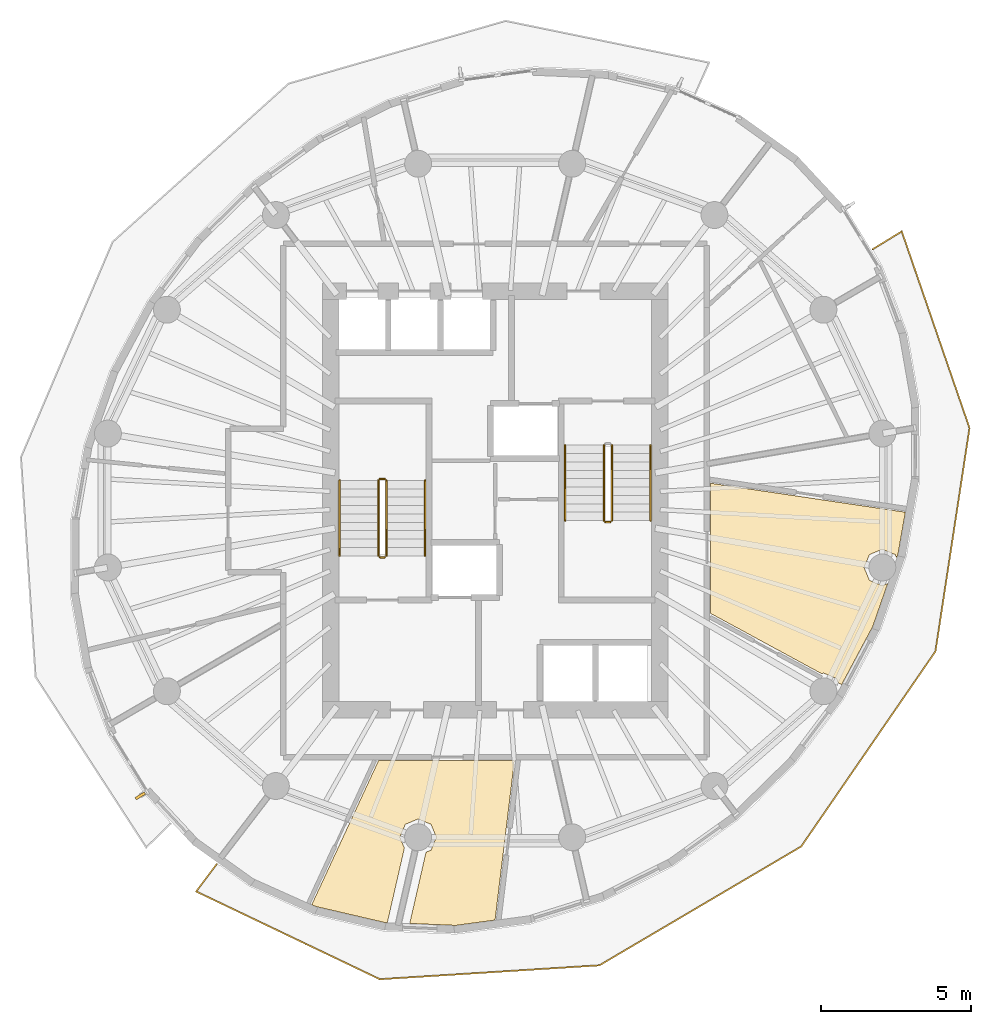
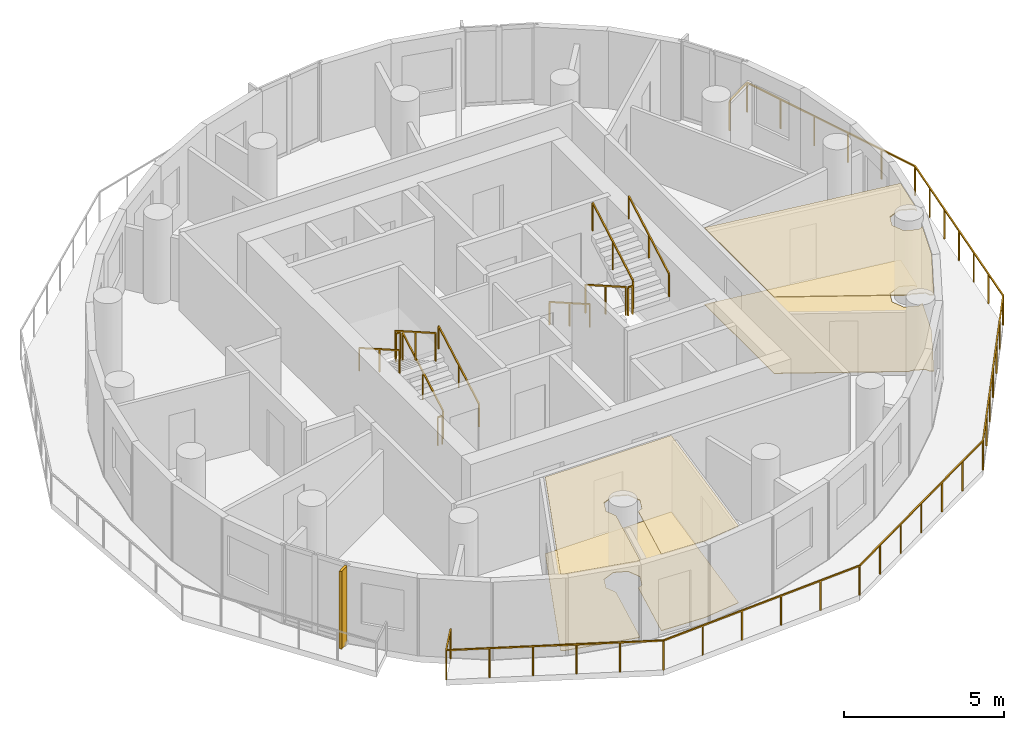
# One storey, part 8 of 10: 12 railings, 4 coverings, 1 shading device.
"""IFC4 building model written with IfcOpenShell, lengths in metres."""

from ifc_helpers import new_model, si_unit, direction, frame, origin, origin_2d, place, context, subcontext, project, spatial, polyline, rectangle, outline, extrude, material, layer, layer_set, type_object, element, save


model = new_model("IFC4")

# Units and contexts
model_context = context("Model", 3, precision=1e-05, world=origin(), true_north=direction((0.0, 1.0)))
body_context = subcontext(model_context, "Body", "Model", "MODEL_VIEW")
ifc_project = project(units=[si_unit("LENGTHUNIT", "METRE"), si_unit("AREAUNIT", "SQUARE_METRE"), si_unit("VOLUMEUNIT", "CUBIC_METRE"), si_unit("PLANEANGLEUNIT", "RADIAN"), si_unit("MASSUNIT", "GRAM", prefix="KILO")], contexts=[model_context])

# Site, building, storey
site_placement = place(None, origin())
site = spatial("IfcSite", under=ifc_project, at=site_placement, CompositionType="ELEMENT")
building_placement = place(site_placement, origin())
building = spatial("IfcBuilding", under=site, at=building_placement, Name="Veldorim Arch Residences", CompositionType="ELEMENT")
storey_placement = place(building_placement, frame((0.0, 0.0, 198.239990234375)))
storey = spatial("IfcBuildingStorey", under=building, at=storey_placement, Name="L59", CompositionType="ELEMENT", Elevation=198.239990234375)

# Railings
ifc_material_1 = material(Name="Aluminium", Category="aluminium")
railing_type_1 = type_object("IfcRailingType", Name="Balcony & Terrace Laminated Glass Balustrade 1150", PredefinedType="BALUSTRADE", material=ifc_material_1)
railing_1_placement = place(storey_placement, frame((22.690673828125, 11.8466796875, 0.0)))
element("IfcRailing", 1, at=railing_1_placement, inside=storey, type_object=railing_type_1, Name="L59 crescent balcony safety balustrade B", PredefinedType="BALUSTRADE", context=body_context, shape_type="SweptSolid", body=[
    extrude(rectangle(XDim=0.048095703125, YDim=0.048095703125, at=origin_2d()), frame((0.0, 0.0, 1.1259765625), z_axis=(-0.600237775512, -0.799821613142, 0.0), x_axis=(0.799821613142, -0.600237775512, 0.0)), (0.0, 0.0, 1.0), 1.14990234375),
    extrude(rectangle(XDim=0.048095703125, YDim=0.048095703125, at=origin_2d()), frame((-0.690185546875, -0.919677734375, 1.1259765625), z_axis=(0.902273129523, -0.431164933338, 0.0), x_axis=(0.431164933338, 0.902273129523, 0.0)), (0.0, 0.0, 1.0), 6.80908203125),
    extrude(rectangle(XDim=0.048095703125, YDim=0.048095703125, at=origin_2d()), frame((5.453369140625, -3.85546875, 1.1259765625), z_axis=(0.997999801771, 0.063217052017, 0.0), x_axis=(-0.063217052017, 0.997999801771, 0.0)), (0.0, 0.0, 1.0), 7.35693359375),
    extrude(rectangle(XDim=0.048095703125, YDim=0.048095703125, at=origin_2d()), frame((12.795654296875, -3.390380859375, 1.1259765625), z_axis=(0.861659209201, 0.507487346837, 0.0), x_axis=(-0.507487346837, 0.861659209201, 0.0)), (0.0, 0.0, 1.0), 7.83154296875),
    extrude(rectangle(XDim=0.048095703125, YDim=0.048095703125, at=origin_2d()), frame((19.543701171875, 0.583984375, 1.1259765625), z_axis=(0.566870275213, 0.823807071516, 0.0), x_axis=(-0.823807071516, 0.566870275213, 0.0)), (0.0, 0.0, 1.0), 7.9189453125),
    extrude(rectangle(XDim=0.048095703125, YDim=0.048095703125, at=origin_2d()), frame((24.03271484375, 7.107666015625, 1.1259765625), z_axis=(0.150906107118, 0.988548100415, 0.0), x_axis=(-0.988548100415, 0.150906107118, 0.0)), (0.0, 0.0, 1.0), 7.55517578125),
    extrude(rectangle(XDim=0.048095703125, YDim=0.048095703125, at=origin_2d()), frame((25.1728515625, 14.576416015625, 1.1259765625), z_axis=(-0.325929032945, 0.945394238127, 0.0), x_axis=(-0.945394238127, -0.325929032945, 0.0)), (0.0, 0.0, 1.0), 6.95654296875),
    extrude(rectangle(XDim=0.048095703125, YDim=0.048095703125, at=origin_2d()), frame((22.905517578125, 21.153076171875, 1.1259765625), z_axis=(-0.852546329169, -0.522651658967, 0.0), x_axis=(0.522651658967, -0.852546329169, 0.0)), (0.0, 0.0, 1.0), 1.150146484375),
    extrude(rectangle(XDim=0.0419921875, YDim=0.0419921875, at=origin_2d()), origin(), (0.0, 0.0, 1.0), 1.101806640625),
    extrude(rectangle(XDim=0.0419921875, YDim=0.0419921875, at=origin_2d()), frame((-0.690185546875, -0.919677734375, 0.0)), (0.0, 0.0, 1.0), 1.101806640625),
    extrude(rectangle(XDim=0.0419921875, YDim=0.0419921875, at=origin_2d()), frame((0.53857421875, -1.5068359375, 0.0)), (0.0, 0.0, 1.0), 1.101806640625),
    extrude(rectangle(XDim=0.0419921875, YDim=0.0419921875, at=origin_2d()), frame((1.767333984375, -2.093994140625, 0.0)), (0.0, 0.0, 1.0), 1.101806640625),
    extrude(rectangle(XDim=0.0419921875, YDim=0.0419921875, at=origin_2d()), frame((2.995849609375, -2.68115234375, 0.0)), (0.0, 0.0, 1.0), 1.101806640625),
    extrude(rectangle(XDim=0.0419921875, YDim=0.0419921875, at=origin_2d()), frame((4.224609375, -3.268310546875, 0.0)), (0.0, 0.0, 1.0), 1.101806640625),
    extrude(rectangle(XDim=0.0419921875, YDim=0.0419921875, at=origin_2d()), frame((5.453369140625, -3.85546875, 0.0)), (0.0, 0.0, 1.0), 1.101806640625),
    extrude(rectangle(XDim=0.0419921875, YDim=0.0419921875, at=origin_2d()), frame((6.921875, -3.762451171875, 0.0)), (0.0, 0.0, 1.0), 1.101806640625),
    extrude(rectangle(XDim=0.0419921875, YDim=0.0419921875, at=origin_2d()), frame((8.390380859375, -3.66943359375, 0.0)), (0.0, 0.0, 1.0), 1.101806640625),
    extrude(rectangle(XDim=0.0419921875, YDim=0.0419921875, at=origin_2d()), frame((9.858642578125, -3.576416015625, 0.0)), (0.0, 0.0, 1.0), 1.101806640625),
    extrude(rectangle(XDim=0.0419921875, YDim=0.0419921875, at=origin_2d()), frame((11.3271484375, -3.4833984375, 0.0)), (0.0, 0.0, 1.0), 1.101806640625),
    extrude(rectangle(XDim=0.0419921875, YDim=0.0419921875, at=origin_2d()), frame((12.795654296875, -3.390380859375, 0.0)), (0.0, 0.0, 1.0), 1.101806640625),
    extrude(rectangle(XDim=0.0419921875, YDim=0.0419921875, at=origin_2d()), frame((13.92041015625, -2.72802734375, 0.0)), (0.0, 0.0, 1.0), 1.101806640625),
    extrude(rectangle(XDim=0.0419921875, YDim=0.0419921875, at=origin_2d()), frame((15.044921875, -2.065673828125, 0.0)), (0.0, 0.0, 1.0), 1.101806640625),
    extrude(rectangle(XDim=0.0419921875, YDim=0.0419921875, at=origin_2d()), frame((16.169677734375, -1.4033203125, 0.0)), (0.0, 0.0, 1.0), 1.101806640625),
    extrude(rectangle(XDim=0.0419921875, YDim=0.0419921875, at=origin_2d()), frame((17.29443359375, -0.74072265625, 0.0)), (0.0, 0.0, 1.0), 1.101806640625),
    extrude(rectangle(XDim=0.0419921875, YDim=0.0419921875, at=origin_2d()), frame((18.4189453125, -0.078369140625, 0.0)), (0.0, 0.0, 1.0), 1.101806640625),
    extrude(rectangle(XDim=0.0419921875, YDim=0.0419921875, at=origin_2d()), frame((19.543701171875, 0.583984375, 0.0)), (0.0, 0.0, 1.0), 1.101806640625),
    extrude(rectangle(XDim=0.0419921875, YDim=0.0419921875, at=origin_2d()), frame((20.2919921875, 1.67138671875, 0.0)), (0.0, 0.0, 1.0), 1.101806640625),
    extrude(rectangle(XDim=0.0419921875, YDim=0.0419921875, at=origin_2d()), frame((21.0400390625, 2.758544921875, 0.0)), (0.0, 0.0, 1.0), 1.101806640625),
    extrude(rectangle(XDim=0.0419921875, YDim=0.0419921875, at=origin_2d()), frame((21.7880859375, 3.845703125, 0.0)), (0.0, 0.0, 1.0), 1.101806640625),
    extrude(rectangle(XDim=0.0419921875, YDim=0.0419921875, at=origin_2d()), frame((22.536376953125, 4.93310546875, 0.0)), (0.0, 0.0, 1.0), 1.101806640625),
    extrude(rectangle(XDim=0.0419921875, YDim=0.0419921875, at=origin_2d()), frame((23.28466796875, 6.0205078125, 0.0)), (0.0, 0.0, 1.0), 1.101806640625),
    extrude(rectangle(XDim=0.0419921875, YDim=0.0419921875, at=origin_2d()), frame((24.03271484375, 7.107666015625, 0.0)), (0.0, 0.0, 1.0), 1.101806640625),
    extrude(rectangle(XDim=0.0419921875, YDim=0.0419921875, at=origin_2d()), frame((24.22265625, 8.3525390625, 0.0)), (0.0, 0.0, 1.0), 1.101806640625),
    extrude(rectangle(XDim=0.0419921875, YDim=0.0419921875, at=origin_2d()), frame((24.412841796875, 9.59716796875, 0.0)), (0.0, 0.0, 1.0), 1.101806640625),
    extrude(rectangle(XDim=0.0419921875, YDim=0.0419921875, at=origin_2d()), frame((24.602783203125, 10.842041015625, 0.0)), (0.0, 0.0, 1.0), 1.101806640625),
    extrude(rectangle(XDim=0.0419921875, YDim=0.0419921875, at=origin_2d()), frame((24.792724609375, 12.0869140625, 0.0)), (0.0, 0.0, 1.0), 1.101806640625),
    extrude(rectangle(XDim=0.0419921875, YDim=0.0419921875, at=origin_2d()), frame((24.98291015625, 13.33154296875, 0.0)), (0.0, 0.0, 1.0), 1.101806640625),
    extrude(rectangle(XDim=0.0419921875, YDim=0.0419921875, at=origin_2d()), frame((25.1728515625, 14.576416015625, 0.0)), (0.0, 0.0, 1.0), 1.101806640625),
    extrude(rectangle(XDim=0.0419921875, YDim=0.0419921875, at=origin_2d()), frame((24.719482421875, 15.891845703125, 0.0)), (0.0, 0.0, 1.0), 1.101806640625),
    extrude(rectangle(XDim=0.0419921875, YDim=0.0419921875, at=origin_2d()), frame((24.265869140625, 17.20703125, 0.0)), (0.0, 0.0, 1.0), 1.101806640625),
    extrude(rectangle(XDim=0.0419921875, YDim=0.0419921875, at=origin_2d()), frame((23.8125, 18.5224609375, 0.0)), (0.0, 0.0, 1.0), 1.101806640625),
    extrude(rectangle(XDim=0.0419921875, YDim=0.0419921875, at=origin_2d()), frame((23.35888671875, 19.837646484375, 0.0)), (0.0, 0.0, 1.0), 1.101806640625),
    extrude(rectangle(XDim=0.0419921875, YDim=0.0419921875, at=origin_2d()), frame((22.905517578125, 21.153076171875, 0.0)), (0.0, 0.0, 1.0), 1.101806640625),
    extrude(rectangle(XDim=0.0419921875, YDim=0.0419921875, at=origin_2d()), frame((21.925048828125, 20.552001953125, 0.0)), (0.0, 0.0, 1.0), 1.101806640625),
])
ifc_material_2 = material(Name="Steel S355", Category="steel")
railing_type_2 = type_object("IfcRailingType", Name="Galvanised Steel Stair Safety Guardrail 1100", PredefinedType="GUARDRAIL", material=ifc_material_2)
railing_2_placement = place(storey_placement, frame((28.360107421875, 22.14990234375, 0.159912109375)))
element("IfcRailing", 2, at=railing_2_placement, inside=storey, type_object=railing_type_2, Name="L59 ST-1 stair guard 1", PredefinedType="GUARDRAIL", context=body_context, shape_type="SweptSolid", body=[
    extrude(rectangle(XDim=0.048095703125, YDim=0.048095703125, at=origin_2d()), frame((0.0, 0.0, 1.076171875), z_axis=(0.0, 0.868217259934, 0.496184229447), x_axis=(-1.0, 0.0, 0.0)), (0.0, 0.0, 1.0), 2.902587890625),
    extrude(rectangle(XDim=0.0419921875, YDim=0.0419921875, at=origin_2d()), origin(), (0.0, 0.0, 1.0), 1.052001953125),
    extrude(rectangle(XDim=0.0419921875, YDim=0.0419921875, at=origin_2d()), frame((0.0, 1.260009765625, 0.72021484375)), (0.0, 0.0, 1.0), 1.052001953125),
    extrude(rectangle(XDim=0.0419921875, YDim=0.0419921875, at=origin_2d()), frame((0.0, 2.52001953125, 1.440185546875)), (0.0, 0.0, 1.0), 1.052001953125),
])
railing_3_placement = place(storey_placement, frame((28.31005859375, 24.719970703125, 1.60009765625)))
element("IfcRailing", 3, at=railing_3_placement, inside=storey, type_object=railing_type_2, Name="L59 ST-1 stair guard 2", PredefinedType="GUARDRAIL", context=body_context, shape_type="SweptSolid", body=[
    extrude(rectangle(XDim=0.048095703125, YDim=0.048095703125, at=origin_2d()), frame((0.0, 0.0, 1.076171875), z_axis=(-1.0, 0.0, 0.0), x_axis=(0.0, -1.0, 0.0)), (0.0, 0.0, 1.0), 0.16015625),
    extrude(rectangle(XDim=0.0419921875, YDim=0.0419921875, at=origin_2d()), origin(), (0.0, 0.0, 1.0), 1.052001953125),
    extrude(rectangle(XDim=0.0419921875, YDim=0.0419921875, at=origin_2d()), frame((-0.16015625, 0.0, 0.0)), (0.0, 0.0, 1.0), 1.052001953125),
])
railing_4_placement = place(storey_placement, frame((28.10009765625, 24.669921875, 1.760009765625)))
element("IfcRailing", 4, at=railing_4_placement, inside=storey, type_object=railing_type_2, Name="L59 ST-1 stair guard 3", PredefinedType="GUARDRAIL", context=body_context, shape_type="SweptSolid", body=[
    extrude(rectangle(XDim=0.048095703125, YDim=0.048095703125, at=origin_2d()), frame((0.0, 0.0, 1.076171875), z_axis=(0.0, -0.868253494771, 0.496120820787), x_axis=(1.0, 0.0, 0.0)), (0.0, 0.0, 1.0), 2.90234375),
    extrude(rectangle(XDim=0.0419921875, YDim=0.0419921875, at=origin_2d()), origin(), (0.0, 0.0, 1.0), 1.052001953125),
    extrude(rectangle(XDim=0.0419921875, YDim=0.0419921875, at=origin_2d()), frame((0.0, -1.260009765625, 0.719970703125)), (0.0, 0.0, 1.0), 1.052001953125),
    extrude(rectangle(XDim=0.0419921875, YDim=0.0419921875, at=origin_2d()), frame((0.0, -2.52001953125, 1.43994140625)), (0.0, 0.0, 1.0), 1.052001953125),
])
railing_5_placement = place(storey_placement, frame((28.31005859375, 22.10009765625, 0.0)))
element("IfcRailing", 5, at=railing_5_placement, inside=storey, type_object=railing_type_2, Name="L59 ST-1 stair guard 4", PredefinedType="GUARDRAIL", context=body_context, shape_type="SweptSolid", body=[
    extrude(rectangle(XDim=0.048095703125, YDim=0.048095703125, at=origin_2d()), frame((0.0, 0.0, 1.076171875), z_axis=(-1.0, 0.0, 0.0), x_axis=(0.0, -1.0, 0.0)), (0.0, 0.0, 1.0), 0.16015625),
    extrude(rectangle(XDim=0.0419921875, YDim=0.0419921875, at=origin_2d()), origin(), (0.0, 0.0, 1.0), 1.052001953125),
    extrude(rectangle(XDim=0.0419921875, YDim=0.0419921875, at=origin_2d()), frame((-0.16015625, 0.0, 0.0)), (0.0, 0.0, 1.0), 1.052001953125),
])
railing_6_placement = place(storey_placement, frame((35.639892578125, 25.85009765625, 0.159912109375)))
element("IfcRailing", 6, at=railing_6_placement, inside=storey, type_object=railing_type_2, Name="L59 ST-2 stair guard 1", PredefinedType="GUARDRAIL", context=body_context, shape_type="SweptSolid", body=[
    extrude(rectangle(XDim=0.048095703125, YDim=0.048095703125, at=origin_2d()), frame((0.0, 0.0, 1.076171875), z_axis=(0.0, -0.868217259934, 0.496184229447), x_axis=(1.0, 0.0, 0.0)), (0.0, 0.0, 1.0), 2.902587890625),
    extrude(rectangle(XDim=0.0419921875, YDim=0.0419921875, at=origin_2d()), origin(), (0.0, 0.0, 1.0), 1.052001953125),
    extrude(rectangle(XDim=0.0419921875, YDim=0.0419921875, at=origin_2d()), frame((0.0, -1.260009765625, 0.72021484375)), (0.0, 0.0, 1.0), 1.052001953125),
    extrude(rectangle(XDim=0.0419921875, YDim=0.0419921875, at=origin_2d()), frame((0.0, -2.52001953125, 1.440185546875)), (0.0, 0.0, 1.0), 1.052001953125),
])
railing_7_placement = place(storey_placement, frame((35.68994140625, 23.280029296875, 1.60009765625)))
element("IfcRailing", 7, at=railing_7_placement, inside=storey, type_object=railing_type_2, Name="L59 ST-2 stair guard 2", PredefinedType="GUARDRAIL", context=body_context, shape_type="SweptSolid", body=[
    extrude(rectangle(XDim=0.048095703125, YDim=0.048095703125, at=origin_2d()), frame((0.0, 0.0, 1.076171875), z_axis=(1.0, 0.0, 0.0), x_axis=(0.0, 1.0, 0.0)), (0.0, 0.0, 1.0), 0.16015625),
    extrude(rectangle(XDim=0.0419921875, YDim=0.0419921875, at=origin_2d()), origin(), (0.0, 0.0, 1.0), 1.052001953125),
    extrude(rectangle(XDim=0.0419921875, YDim=0.0419921875, at=origin_2d()), frame((0.16015625, 0.0, 0.0)), (0.0, 0.0, 1.0), 1.052001953125),
])
railing_8_placement = place(storey_placement, frame((35.89990234375, 23.330078125, 1.760009765625)))
element("IfcRailing", 8, at=railing_8_placement, inside=storey, type_object=railing_type_2, Name="L59 ST-2 stair guard 3", PredefinedType="GUARDRAIL", context=body_context, shape_type="SweptSolid", body=[
    extrude(rectangle(XDim=0.048095703125, YDim=0.048095703125, at=origin_2d()), frame((0.0, 0.0, 1.076171875), z_axis=(0.0, 0.868253494771, 0.496120820787), x_axis=(-1.0, 0.0, 0.0)), (0.0, 0.0, 1.0), 2.90234375),
    extrude(rectangle(XDim=0.0419921875, YDim=0.0419921875, at=origin_2d()), origin(), (0.0, 0.0, 1.0), 1.052001953125),
    extrude(rectangle(XDim=0.0419921875, YDim=0.0419921875, at=origin_2d()), frame((0.0, 1.260009765625, 0.719970703125)), (0.0, 0.0, 1.0), 1.052001953125),
    extrude(rectangle(XDim=0.0419921875, YDim=0.0419921875, at=origin_2d()), frame((0.0, 2.52001953125, 1.43994140625)), (0.0, 0.0, 1.0), 1.052001953125),
])

# Coverings
ifc_material_3 = material(Name="Acoustic Gypsum & Mineral Fibre", Category="gypsum")
ifc_layer_1 = layer(ifc_material_3, 0.034912109375, Name="Perforated Acoustic Mineral-Fibre Ceiling 35")
ifc_layer_set_1 = layer_set([ifc_layer_1], Name="Acoustic Gypsum & Mineral Fibre")
covering_type_1 = type_object("IfcCoveringType", Name="Perforated Acoustic Mineral-Fibre Ceiling 35", PredefinedType="CEILING", material=ifc_layer_set_1)
covering_1_placement = place(storey_placement, frame((0.0, 0.0, 2.905029296875)))
element("IfcCovering", 9, at=covering_1_placement, inside=storey, type_object=covering_type_1, Name="L59 acoustic suspended ceiling 01", PredefinedType="CEILING", context=body_context, shape_type="SweptSolid", body=[
    extrude(outline(polyline([(28.395751953125, 9.889892578125), (28.287109375, 9.894287109375), (26.00927734375, 10.42333984375), (25.86767578125, 10.48681640625), (28.098876953125, 15.300048828125), (32.64404296875, 15.300048828125), (31.997314453125, 9.97119140625), (30.6796875, 9.792724609375), (29.142578125, 9.858154296875), (29.687255859375, 12.239501953125), (29.856201171875, 12.309326171875), (30.03466796875, 12.740478515625), (29.856201171875, 13.171875), (29.4248046875, 13.3505859375), (28.993408203125, 13.171875), (28.81494140625, 12.740478515625), (28.965087890625, 12.37841796875), (28.395751953125, 9.889892578125)])), origin(), (0.0, 0.0, 1.0), 0.034912109375),
])
covering_2_placement = place(storey_placement, frame((0.0, 0.0, 2.905029296875)))
element("IfcCovering", 10, at=covering_2_placement, inside=storey, type_object=covering_type_1, Name="L59 acoustic suspended ceiling 02", PredefinedType="CEILING", context=body_context, shape_type="SweptSolid", body=[
    extrude(outline(polyline([(44.624267578125, 19.78466796875), (43.5859375, 17.845458984375), (43.4658203125, 17.91064453125), (43.40673828125, 18.053466796875), (42.975341796875, 18.23193359375), (42.917724609375, 18.2080078125), (39.199951171875, 20.226806640625), (39.199951171875, 24.57861328125), (45.715087890625, 23.610107421875), (45.469970703125, 22.2119140625), (45.424072265625, 22.079833984375), (45.377685546875, 22.191650390625), (44.9462890625, 22.370361328125), (44.51513671875, 22.191650390625), (44.33642578125, 21.760498046875), (44.51513671875, 21.3291015625), (44.9462890625, 21.150390625), (45.126220703125, 21.22509765625), (44.624267578125, 19.78466796875)])), origin(), (0.0, 0.0, 1.0), 0.034912109375),
])
ifc_material_4 = material(Name="Porcelain Ceramic Tile", Category="ceramic")
ifc_layer_2 = layer(ifc_material_4, 0.02001953125, Name="Slip-Resistant Porcelain & Vinyl Floor Finish 20")
ifc_layer_set_2 = layer_set([ifc_layer_2], Name="Porcelain Ceramic Tile")
covering_type_2 = type_object("IfcCoveringType", Name="Slip-Resistant Porcelain & Vinyl Floor Finish 20", PredefinedType="FLOORING", material=ifc_layer_set_2)
covering_3_placement = place(storey_placement, origin())
element("IfcCovering", 11, at=covering_3_placement, inside=storey, type_object=covering_type_2, Name="L59 porcelain floor finish 01", PredefinedType="FLOORING", context=body_context, shape_type="SweptSolid", body=[
    extrude(outline(polyline([(28.395751953125, 9.889892578125), (28.287109375, 9.894287109375), (26.00927734375, 10.42333984375), (25.86767578125, 10.48681640625), (28.098876953125, 15.300048828125), (32.64404296875, 15.300048828125), (31.997314453125, 9.97119140625), (30.6796875, 9.792724609375), (29.142578125, 9.858154296875), (29.687255859375, 12.239501953125), (29.856201171875, 12.309326171875), (30.03466796875, 12.740478515625), (29.856201171875, 13.171875), (29.4248046875, 13.3505859375), (28.993408203125, 13.171875), (28.81494140625, 12.740478515625), (28.965087890625, 12.37841796875), (28.395751953125, 9.889892578125)])), origin(), (0.0, 0.0, 1.0), 0.02001953125),
])
covering_4_placement = place(storey_placement, origin())
element("IfcCovering", 12, at=covering_4_placement, inside=storey, type_object=covering_type_2, Name="L59 porcelain floor finish 02", PredefinedType="FLOORING", context=body_context, shape_type="SweptSolid", body=[
    extrude(outline(polyline([(44.624267578125, 19.78466796875), (43.5859375, 17.845458984375), (43.4658203125, 17.91064453125), (43.40673828125, 18.053466796875), (42.975341796875, 18.23193359375), (42.917724609375, 18.2080078125), (39.199951171875, 20.226806640625), (39.199951171875, 24.57861328125), (45.715087890625, 23.610107421875), (45.469970703125, 22.2119140625), (45.424072265625, 22.079833984375), (45.377685546875, 22.191650390625), (44.9462890625, 22.370361328125), (44.51513671875, 22.191650390625), (44.33642578125, 21.760498046875), (44.51513671875, 21.3291015625), (44.9462890625, 21.150390625), (45.126220703125, 21.22509765625), (44.624267578125, 19.78466796875)])), origin(), (0.0, 0.0, 1.0), 0.02001953125),
])

# Railings
ifc_material_5 = material(Name="Stainless Steel", Category="steel")
railing_type_3 = type_object("IfcRailingType", Name="Tubular Steel Continuous Wall Handrail 900", PredefinedType="HANDRAIL", material=ifc_material_5)
railing_9_placement = place(storey_placement, frame((29.659912109375, 22.14990234375, 0.159912109375)))
element("IfcRailing", 13, at=railing_9_placement, inside=storey, type_object=railing_type_3, Name="L59 ST-1 stair handrail 1", PredefinedType="HANDRAIL", context=body_context, shape_type="SweptSolid", body=[
    extrude(rectangle(XDim=0.048095703125, YDim=0.048095703125, at=origin_2d()), frame((0.0, 0.0, 0.8759765625), z_axis=(0.0, 0.868217259934, 0.496184229447), x_axis=(-1.0, 0.0, 0.0)), (0.0, 0.0, 1.0), 2.902587890625),
    extrude(rectangle(XDim=0.0419921875, YDim=0.0419921875, at=origin_2d()), origin(), (0.0, 0.0, 1.0), 0.851806640625),
    extrude(rectangle(XDim=0.0419921875, YDim=0.0419921875, at=origin_2d()), frame((0.0, 1.260009765625, 0.72021484375)), (0.0, 0.0, 1.0), 0.851806640625),
    extrude(rectangle(XDim=0.0419921875, YDim=0.0419921875, at=origin_2d()), frame((0.0, 2.52001953125, 1.440185546875)), (0.0, 0.0, 1.0), 0.851806640625),
])
railing_10_placement = place(storey_placement, frame((26.800048828125, 24.669921875, 1.760009765625)))
element("IfcRailing", 14, at=railing_10_placement, inside=storey, type_object=railing_type_3, Name="L59 ST-1 stair handrail 2", PredefinedType="HANDRAIL", context=body_context, shape_type="SweptSolid", body=[
    extrude(rectangle(XDim=0.048095703125, YDim=0.048095703125, at=origin_2d()), frame((0.0, 0.0, 0.8759765625), z_axis=(0.0, -0.868253494771, 0.496120820787), x_axis=(1.0, 0.0, 0.0)), (0.0, 0.0, 1.0), 2.90234375),
    extrude(rectangle(XDim=0.0419921875, YDim=0.0419921875, at=origin_2d()), origin(), (0.0, 0.0, 1.0), 0.851806640625),
    extrude(rectangle(XDim=0.0419921875, YDim=0.0419921875, at=origin_2d()), frame((0.0, -1.260009765625, 0.719970703125)), (0.0, 0.0, 1.0), 0.851806640625),
    extrude(rectangle(XDim=0.0419921875, YDim=0.0419921875, at=origin_2d()), frame((0.0, -2.52001953125, 1.43994140625)), (0.0, 0.0, 1.0), 0.851806640625),
])
railing_11_placement = place(storey_placement, frame((34.340087890625, 25.85009765625, 0.159912109375)))
element("IfcRailing", 15, at=railing_11_placement, inside=storey, type_object=railing_type_3, Name="L59 ST-2 stair handrail 1", PredefinedType="HANDRAIL", context=body_context, shape_type="SweptSolid", body=[
    extrude(rectangle(XDim=0.048095703125, YDim=0.048095703125, at=origin_2d()), frame((0.0, 0.0, 0.8759765625), z_axis=(0.0, -0.868217259934, 0.496184229447), x_axis=(1.0, 0.0, 0.0)), (0.0, 0.0, 1.0), 2.902587890625),
    extrude(rectangle(XDim=0.0419921875, YDim=0.0419921875, at=origin_2d()), origin(), (0.0, 0.0, 1.0), 0.851806640625),
    extrude(rectangle(XDim=0.0419921875, YDim=0.0419921875, at=origin_2d()), frame((0.0, -1.260009765625, 0.72021484375)), (0.0, 0.0, 1.0), 0.851806640625),
    extrude(rectangle(XDim=0.0419921875, YDim=0.0419921875, at=origin_2d()), frame((0.0, -2.52001953125, 1.440185546875)), (0.0, 0.0, 1.0), 0.851806640625),
])
railing_12_placement = place(storey_placement, frame((37.199951171875, 23.330078125, 1.760009765625)))
element("IfcRailing", 16, at=railing_12_placement, inside=storey, type_object=railing_type_3, Name="L59 ST-2 stair handrail 2", PredefinedType="HANDRAIL", context=body_context, shape_type="SweptSolid", body=[
    extrude(rectangle(XDim=0.048095703125, YDim=0.048095703125, at=origin_2d()), frame((0.0, 0.0, 0.8759765625), z_axis=(0.0, 0.868253494771, 0.496120820787), x_axis=(-1.0, 0.0, 0.0)), (0.0, 0.0, 1.0), 2.90234375),
    extrude(rectangle(XDim=0.0419921875, YDim=0.0419921875, at=origin_2d()), origin(), (0.0, 0.0, 1.0), 0.851806640625),
    extrude(rectangle(XDim=0.0419921875, YDim=0.0419921875, at=origin_2d()), frame((0.0, 1.260009765625, 0.719970703125)), (0.0, 0.0, 1.0), 0.851806640625),
    extrude(rectangle(XDim=0.0419921875, YDim=0.0419921875, at=origin_2d()), frame((0.0, 2.52001953125, 1.43994140625)), (0.0, 0.0, 1.0), 0.851806640625),
])

# Shading device
ifc_material_6 = material(Name="Terracotta Ceramic", Category="masonry")
ifc_layer_3 = layer(ifc_material_6, 0.090087890625, Name="Vertical Extruded Terracotta Baguette Sun-Shading Fin")
ifc_layer_set_3 = layer_set([ifc_layer_3], Name="Terracotta Ceramic")
shading_device_type = type_object("IfcShadingDeviceType", Name="Vertical Extruded Terracotta Baguette Sun-Shading Fin", PredefinedType="USERDEFINED", material=ifc_layer_set_3)
shading_device_placement = place(storey_placement, frame((20.133056640625, 14.124267578125, 0.0), z_axis=(0.0, 0.0, 1.0), x_axis=(-0.523837243597, 0.851818373963, 0.0)))
element("IfcShadingDevice", 17, at=shading_device_placement, inside=storey, type_object=shading_device_type, Name="L59 vertical terracotta sun-shading fin 17", ObjectType="FIN", PredefinedType="USERDEFINED", context=body_context, shape_type="SweptSolid", body=[
    extrude(rectangle(XDim=0.090087890625, YDim=0.360107421875, at=origin_2d()), origin(), (0.0, 0.0, 1.0), 2.9599609375),
])

save(model, "model.ifc")
